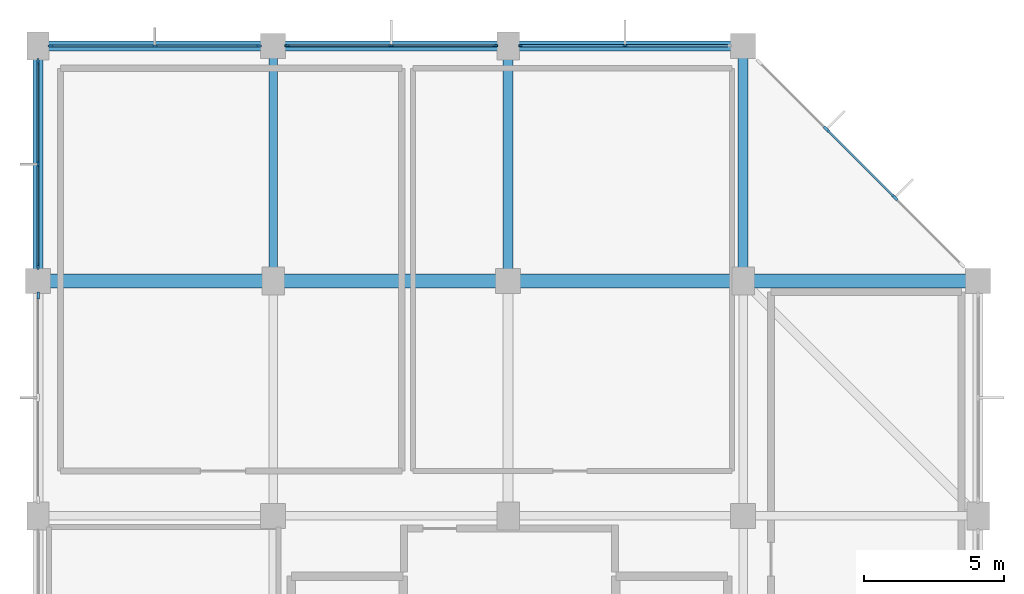
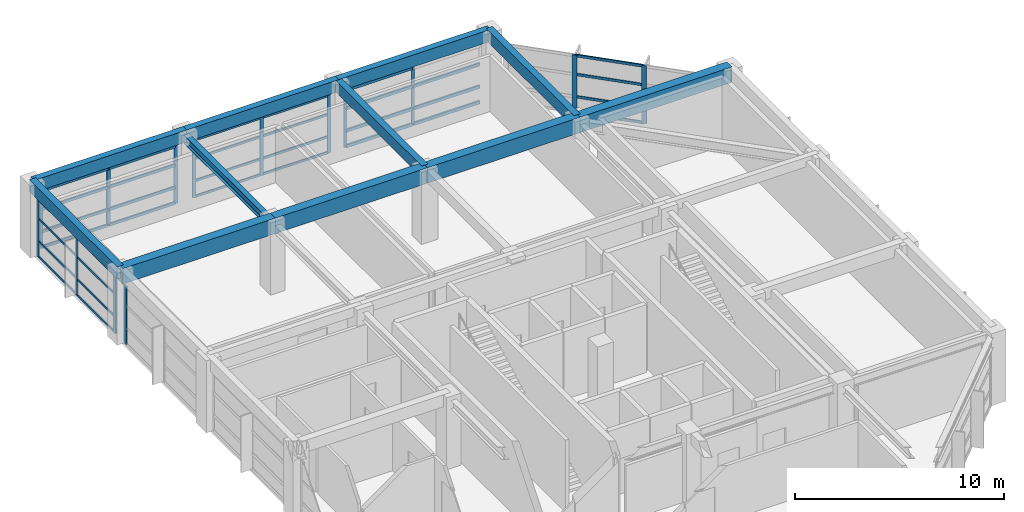
# One storey, part 6 of 12: 49 members, 11 beams, 6 elements without a shape of their own.
"""IFC4 building model written with IfcOpenShell, lengths in metres."""

from ifc_helpers import new_model, si_unit, direction, frame, origin, origin_2d, place, context, subcontext, project, spatial, rectangle, i_section, extrude, material, material_profile, profile_set, type_object, element, aggregate, save


model = new_model("IFC4")

# Units and contexts
model_context = context("Model", 3, precision=1e-05, world=origin(), true_north=direction((0.0, 1.0)))
body_context = subcontext(model_context, "Body", "Model", "MODEL_VIEW")
ifc_project = project(units=[si_unit("LENGTHUNIT", "METRE"), si_unit("AREAUNIT", "SQUARE_METRE"), si_unit("VOLUMEUNIT", "CUBIC_METRE"), si_unit("PLANEANGLEUNIT", "RADIAN"), si_unit("MASSUNIT", "GRAM", prefix="KILO")], contexts=[model_context])

# Site, building, storey
site_placement = place(None, origin())
site = spatial("IfcSite", under=ifc_project, at=site_placement, CompositionType="ELEMENT")
building_placement = place(site_placement, origin())
building = spatial("IfcBuilding", under=site, at=building_placement, Name="Xuanlan Plaza Opera House", CompositionType="ELEMENT")
storey_placement = place(building_placement, frame((0.0, 0.0, 65.699951171875)))
storey = spatial("IfcBuildingStorey", under=building, at=storey_placement, Name="L15", CompositionType="ELEMENT", Elevation=65.699951171875)

# Curtain wall, members
ifc_material_1 = material(Name="Anodised Aluminium 6063-T6 and Low-E Glass", Category="aluminium")
curtain_wall_type_1 = type_object("IfcCurtainWallType", Name="ENV-CW-CW-02", PredefinedType="USERDEFINED", material=ifc_material_1)
curtain_wall_1_placement = place(storey_placement, origin())
curtain_wall_1 = element("IfcCurtainWall", 1, at=curtain_wall_1_placement, inside=storey, type_object=curtain_wall_type_1, Name="Unitised Curtain Wall L15-009", ObjectType="UNITISED CURTAIN WALL", PredefinedType="USERDEFINED")
ifc_material_2 = material(Name="Anodised Aluminium 6063-T6", Category="aluminium")
ifc_material_profile_1 = material_profile(ifc_material_2, rectangle(XDim=0.06494140625, YDim=0.159912109375, at=origin_2d()), Name="ALU-M 65x160")
ifc_profile_set_1 = profile_set([ifc_material_profile_1], Name="Anodised Aluminium 6063-T6")
member_type_1 = type_object("IfcMemberType", Name="ENV-CWM-01", PredefinedType="MULLION", material=ifc_profile_set_1)
member_1_placement = place(storey_placement, frame((146.97509765625, 84.0, 0.0), z_axis=(0.0, 0.0, 1.0), x_axis=(0.0, -1.0, 0.0)))
member_1 = element("IfcMember", 2, at=member_1_placement, type_object=member_type_1, Name="CW-02 mullion 2", PredefinedType="MULLION", context=body_context, shape_type="SweptSolid", body=[
    extrude(rectangle(XDim=0.06494140625, YDim=0.159912109375, at=origin_2d()), origin(), (0.0, 0.0, 1.0), 3.380126953125),
])
member_2_placement = place(storey_placement, frame((143.25244140625, 84.0, 0.0), z_axis=(0.0, 0.0, 1.0), x_axis=(0.0, -1.0, 0.0)))
member_2 = element("IfcMember", 3, at=member_2_placement, type_object=member_type_1, Name="CW-02 mullion 3", PredefinedType="MULLION", context=body_context, shape_type="SweptSolid", body=[
    extrude(rectangle(XDim=0.06494140625, YDim=0.159912109375, at=origin_2d()), origin(), (0.0, 0.0, 1.0), 3.380126953125),
])

curtain_wall_type_2 = type_object("IfcCurtainWallType", Name="ENV-CW-CW-03", PredefinedType="USERDEFINED", material=ifc_material_1)
curtain_wall_2_placement = place(storey_placement, origin())
curtain_wall_2 = element("IfcCurtainWall", 4, at=curtain_wall_2_placement, inside=storey, type_object=curtain_wall_type_2, Name="Unitised Curtain Wall L15-010", ObjectType="UNITISED CURTAIN WALL", PredefinedType="USERDEFINED")
ifc_material_profile_2 = material_profile(ifc_material_2, rectangle(XDim=0.070068359375, YDim=0.179931640625, at=origin_2d()), Name="ALU-M 70x180")
ifc_profile_set_2 = profile_set([ifc_material_profile_2], Name="Anodised Aluminium 6063-T6")
member_type_2 = type_object("IfcMemberType", Name="ENV-CWM-02", PredefinedType="MULLION", material=ifc_profile_set_2)
member_3_placement = place(storey_placement, frame((142.344970703125, 84.0, 0.0), z_axis=(0.0, 0.0, 1.0), x_axis=(0.0, -1.0, 0.0)))
member_3 = element("IfcMember", 5, at=member_3_placement, type_object=member_type_2, Name="CW-03 mullion 1", PredefinedType="MULLION", context=body_context, shape_type="SweptSolid", body=[
    extrude(rectangle(XDim=0.070068359375, YDim=0.179931640625, at=origin_2d()), origin(), (0.0, 0.0, 1.0), 3.380126953125),
])
member_4_placement = place(storey_placement, frame((138.625, 84.0, 0.0), z_axis=(0.0, 0.0, 1.0), x_axis=(0.0, -1.0, 0.0)))
member_4 = element("IfcMember", 6, at=member_4_placement, type_object=member_type_2, Name="CW-03 mullion 2", PredefinedType="MULLION", context=body_context, shape_type="SweptSolid", body=[
    extrude(rectangle(XDim=0.070068359375, YDim=0.179931640625, at=origin_2d()), origin(), (0.0, 0.0, 1.0), 3.380126953125),
])
member_5_placement = place(storey_placement, frame((134.905029296875, 84.0, 0.0), z_axis=(0.0, 0.0, 1.0), x_axis=(0.0, -1.0, 0.0)))
member_5 = element("IfcMember", 7, at=member_5_placement, type_object=member_type_2, Name="CW-03 mullion 3", PredefinedType="MULLION", context=body_context, shape_type="SweptSolid", body=[
    extrude(rectangle(XDim=0.070068359375, YDim=0.179931640625, at=origin_2d()), origin(), (0.0, 0.0, 1.0), 3.380126953125),
])

curtain_wall_type_3 = type_object("IfcCurtainWallType", Name="ENV-CW-CW-04", PredefinedType="USERDEFINED", material=ifc_material_1)
curtain_wall_3_placement = place(storey_placement, origin())
curtain_wall_3 = element("IfcCurtainWall", 8, at=curtain_wall_3_placement, inside=storey, type_object=curtain_wall_type_3, Name="Unitised Curtain Wall L15-011", ObjectType="UNITISED CURTAIN WALL", PredefinedType="USERDEFINED")
ifc_material_profile_3 = material_profile(ifc_material_2, rectangle(XDim=0.074951171875, YDim=0.199951171875, at=origin_2d()), Name="ALU-M 75x200")
ifc_profile_set_3 = profile_set([ifc_material_profile_3], Name="Anodised Aluminium 6063-T6")
member_type_3 = type_object("IfcMemberType", Name="ENV-CWM-03", PredefinedType="MULLION", material=ifc_profile_set_3)
member_6_placement = place(storey_placement, frame((133.892578125, 84.0, 0.0), z_axis=(0.0, 0.0, 1.0), x_axis=(0.0, -1.0, 0.0)))
member_6 = element("IfcMember", 9, at=member_6_placement, type_object=member_type_3, Name="CW-04 mullion 1", PredefinedType="MULLION", context=body_context, shape_type="SweptSolid", body=[
    extrude(rectangle(XDim=0.074951171875, YDim=0.199951171875, at=origin_2d()), origin(), (0.0, 0.0, 1.0), 3.380126953125),
])
member_7_placement = place(storey_placement, frame((130.175048828125, 84.0, 0.0), z_axis=(0.0, 0.0, 1.0), x_axis=(0.0, -1.0, 0.0)))
member_7 = element("IfcMember", 10, at=member_7_placement, type_object=member_type_3, Name="CW-04 mullion 2", PredefinedType="MULLION", context=body_context, shape_type="SweptSolid", body=[
    extrude(rectangle(XDim=0.074951171875, YDim=0.199951171875, at=origin_2d()), origin(), (0.0, 0.0, 1.0), 3.380126953125),
])
member_8_placement = place(storey_placement, frame((126.45751953125, 84.0, 0.0), z_axis=(0.0, 0.0, 1.0), x_axis=(0.0, -1.0, 0.0)))
member_8 = element("IfcMember", 11, at=member_8_placement, type_object=member_type_3, Name="CW-04 mullion 3", PredefinedType="MULLION", context=body_context, shape_type="SweptSolid", body=[
    extrude(rectangle(XDim=0.074951171875, YDim=0.199951171875, at=origin_2d()), origin(), (0.0, 0.0, 1.0), 3.380126953125),
])

curtain_wall_type_4 = type_object("IfcCurtainWallType", Name="ENV-CW-CW-01", PredefinedType="USERDEFINED", material=ifc_material_1)
curtain_wall_4_placement = place(storey_placement, origin())
curtain_wall_4 = element("IfcCurtainWall", 12, at=curtain_wall_4_placement, inside=storey, type_object=curtain_wall_type_4, Name="Unitised Curtain Wall L15-012", ObjectType="UNITISED CURTAIN WALL", PredefinedType="USERDEFINED")
ifc_material_profile_4 = material_profile(ifc_material_2, rectangle(XDim=0.080078125, YDim=0.219970703125, at=origin_2d()), Name="ALU-M 80x220")
ifc_profile_set_4 = profile_set([ifc_material_profile_4], Name="Anodised Aluminium 6063-T6")
member_type_4 = type_object("IfcMemberType", Name="ENV-CWM-04", PredefinedType="MULLION", material=ifc_profile_set_4)
member_9_placement = place(storey_placement, frame((126.0, 83.43994140625, 0.0), z_axis=(0.0, 0.0, 1.0), x_axis=(1.0, 0.0, 0.0)))
member_9 = element("IfcMember", 13, at=member_9_placement, type_object=member_type_4, Name="CW-01 mullion 1", PredefinedType="MULLION", context=body_context, shape_type="SweptSolid", body=[
    extrude(rectangle(XDim=0.080078125, YDim=0.219970703125, at=origin_2d()), origin(), (0.0, 0.0, 1.0), 3.380126953125),
])
member_10_placement = place(storey_placement, frame((126.0, 79.77490234375, 0.0), z_axis=(0.0, 0.0, 1.0), x_axis=(1.0, 0.0, 0.0)))
member_10 = element("IfcMember", 14, at=member_10_placement, type_object=member_type_4, Name="CW-01 mullion 2", PredefinedType="MULLION", context=body_context, shape_type="SweptSolid", body=[
    extrude(rectangle(XDim=0.080078125, YDim=0.219970703125, at=origin_2d()), origin(), (0.0, 0.0, 1.0), 3.380126953125),
])
member_11_placement = place(storey_placement, frame((126.0, 76.110107421875, 0.0), z_axis=(0.0, 0.0, 1.0), x_axis=(1.0, 0.0, 0.0)))
member_11 = element("IfcMember", 15, at=member_11_placement, type_object=member_type_4, Name="CW-01 mullion 3", PredefinedType="MULLION", context=body_context, shape_type="SweptSolid", body=[
    extrude(rectangle(XDim=0.080078125, YDim=0.219970703125, at=origin_2d()), origin(), (0.0, 0.0, 1.0), 3.380126953125),
])

curtain_wall_5_placement = place(storey_placement, origin())
curtain_wall_5 = element("IfcCurtainWall", 16, at=curtain_wall_5_placement, inside=storey, type_object=curtain_wall_type_4, Name="Unitised Curtain Wall L15-008", ObjectType="UNITISED CURTAIN WALL", PredefinedType="USERDEFINED")
ifc_material_profile_5 = material_profile(ifc_material_2, rectangle(XDim=0.090087890625, YDim=0.25, at=origin_2d()), Name="ALU-M 90x250")
ifc_profile_set_5 = profile_set([ifc_material_profile_5], Name="Anodised Aluminium 6063-T6")
member_type_5 = type_object("IfcMemberType", Name="ENV-CWM-05", PredefinedType="MULLION", material=ifc_profile_set_5)
member_12_placement = place(storey_placement, frame((156.616943359375, 78.5830078125, 0.0), z_axis=(0.0, 0.0, 1.0), x_axis=(-0.707106781187, -0.707106781187, 0.0)))
member_12 = element("IfcMember", 17, at=member_12_placement, type_object=member_type_5, Name="CW-01 mullion 2", PredefinedType="MULLION", context=body_context, shape_type="SweptSolid", body=[
    extrude(rectangle(XDim=0.090087890625, YDim=0.25, at=origin_2d()), origin(), (0.0, 0.0, 1.0), 3.380126953125),
])
member_13_placement = place(storey_placement, frame((154.18310546875, 81.01708984375, 0.0), z_axis=(0.0, 0.0, 1.0), x_axis=(-0.707106781187, -0.707106781187, 0.0)))
member_13 = element("IfcMember", 18, at=member_13_placement, type_object=member_type_5, Name="CW-01 mullion 3", PredefinedType="MULLION", context=body_context, shape_type="SweptSolid", body=[
    extrude(rectangle(XDim=0.090087890625, YDim=0.25, at=origin_2d()), origin(), (0.0, 0.0, 1.0), 3.380126953125),
])

# Curtain wall, member
curtain_wall_6_placement = place(storey_placement, origin())
curtain_wall_6 = element("IfcCurtainWall", 19, at=curtain_wall_6_placement, inside=storey, type_object=curtain_wall_type_1, Name="Unitised Curtain Wall L15-013", ObjectType="UNITISED CURTAIN WALL", PredefinedType="USERDEFINED")
member_14_placement = place(storey_placement, frame((126.0, 75.0849609375, 0.0), z_axis=(0.0, 0.0, 1.0), x_axis=(1.0, 0.0, 0.0)))
member_14 = element("IfcMember", 20, at=member_14_placement, type_object=member_type_5, Name="CW-02 mullion 1", PredefinedType="MULLION", context=body_context, shape_type="SweptSolid", body=[
    extrude(rectangle(XDim=0.090087890625, YDim=0.25, at=origin_2d()), origin(), (0.0, 0.0, 1.0), 3.380126953125),
])
aggregate(curtain_wall_6, [member_14])

# Member
ifc_material_profile_6 = material_profile(ifc_material_2, rectangle(XDim=0.06494140625, YDim=0.1201171875, at=origin_2d()), Name="ALU-T 65x120")
ifc_profile_set_6 = profile_set([ifc_material_profile_6], Name="Anodised Aluminium 6063-T6")
member_type_6 = type_object("IfcMemberType", Name="ENV-CWT-01", PredefinedType="USERDEFINED", material=ifc_profile_set_6)
member_15_placement = place(storey_placement, frame((126.0, 83.39990234375, 0.032470703125), z_axis=(0.0, -1.0, 0.0), x_axis=(1.0, 0.0, 0.0)))
member_15 = element("IfcMember", 21, at=member_15_placement, type_object=member_type_6, Name="CW-01 transom 1.1", ObjectType="TRANSOM", PredefinedType="USERDEFINED", context=body_context, shape_type="SweptSolid", body=[
    extrude(rectangle(XDim=0.06494140625, YDim=0.1201171875, at=origin_2d()), origin(), (0.0, 0.0, 1.0), 3.5849609375),
])

member_16_placement = place(storey_placement, frame((126.0, 83.39990234375, 0.949951171875), z_axis=(0.0, -1.0, 0.0), x_axis=(1.0, 0.0, 0.0)))
member_16 = element("IfcMember", 22, at=member_16_placement, type_object=member_type_6, Name="CW-01 transom 1.2", ObjectType="TRANSOM", PredefinedType="USERDEFINED", context=body_context, shape_type="SweptSolid", body=[
    extrude(rectangle(XDim=0.06494140625, YDim=0.1201171875, at=origin_2d()), origin(), (0.0, 0.0, 1.0), 3.5849609375),
])

member_17_placement = place(storey_placement, frame((126.0, 83.39990234375, 2.25), z_axis=(0.0, -1.0, 0.0), x_axis=(1.0, 0.0, 0.0)))
member_17 = element("IfcMember", 23, at=member_17_placement, type_object=member_type_6, Name="CW-01 transom 1.3", ObjectType="TRANSOM", PredefinedType="USERDEFINED", context=body_context, shape_type="SweptSolid", body=[
    extrude(rectangle(XDim=0.06494140625, YDim=0.1201171875, at=origin_2d()), origin(), (0.0, 0.0, 1.0), 3.5849609375),
])

member_18_placement = place(storey_placement, frame((126.0, 83.39990234375, 3.34765625), z_axis=(0.0, -1.0, 0.0), x_axis=(1.0, 0.0, 0.0)))
member_18 = element("IfcMember", 24, at=member_18_placement, type_object=member_type_6, Name="CW-01 transom 1.4", ObjectType="TRANSOM", PredefinedType="USERDEFINED", context=body_context, shape_type="SweptSolid", body=[
    extrude(rectangle(XDim=0.06494140625, YDim=0.1201171875, at=origin_2d()), origin(), (0.0, 0.0, 1.0), 3.5849609375),
])

member_19_placement = place(storey_placement, frame((126.0, 79.735107421875, 0.032470703125), z_axis=(0.0, -1.0, 0.0), x_axis=(1.0, 0.0, 0.0)))
member_19 = element("IfcMember", 25, at=member_19_placement, type_object=member_type_6, Name="CW-01 transom 2.1", ObjectType="TRANSOM", PredefinedType="USERDEFINED", context=body_context, shape_type="SweptSolid", body=[
    extrude(rectangle(XDim=0.06494140625, YDim=0.1201171875, at=origin_2d()), origin(), (0.0, 0.0, 1.0), 3.585205078125),
])

member_20_placement = place(storey_placement, frame((126.0, 79.735107421875, 0.949951171875), z_axis=(0.0, -1.0, 0.0), x_axis=(1.0, 0.0, 0.0)))
member_20 = element("IfcMember", 26, at=member_20_placement, type_object=member_type_6, Name="CW-01 transom 2.2", ObjectType="TRANSOM", PredefinedType="USERDEFINED", context=body_context, shape_type="SweptSolid", body=[
    extrude(rectangle(XDim=0.06494140625, YDim=0.1201171875, at=origin_2d()), origin(), (0.0, 0.0, 1.0), 3.585205078125),
])

member_21_placement = place(storey_placement, frame((126.0, 79.735107421875, 2.25), z_axis=(0.0, -1.0, 0.0), x_axis=(1.0, 0.0, 0.0)))
member_21 = element("IfcMember", 27, at=member_21_placement, type_object=member_type_6, Name="CW-01 transom 2.3", ObjectType="TRANSOM", PredefinedType="USERDEFINED", context=body_context, shape_type="SweptSolid", body=[
    extrude(rectangle(XDim=0.06494140625, YDim=0.1201171875, at=origin_2d()), origin(), (0.0, 0.0, 1.0), 3.585205078125),
])

member_22_placement = place(storey_placement, frame((126.0, 79.735107421875, 3.34765625), z_axis=(0.0, -1.0, 0.0), x_axis=(1.0, 0.0, 0.0)))
member_22 = element("IfcMember", 28, at=member_22_placement, type_object=member_type_6, Name="CW-01 transom 2.4", ObjectType="TRANSOM", PredefinedType="USERDEFINED", context=body_context, shape_type="SweptSolid", body=[
    extrude(rectangle(XDim=0.06494140625, YDim=0.1201171875, at=origin_2d()), origin(), (0.0, 0.0, 1.0), 3.585205078125),
])

aggregate(curtain_wall_4, [member_9, member_10, member_11, member_15, member_16, member_17, member_18, member_19, member_20, member_21, member_22])

ifc_material_profile_7 = material_profile(ifc_material_2, rectangle(XDim=0.070068359375, YDim=0.135009765625, at=origin_2d()), Name="ALU-T 70x135")
ifc_profile_set_7 = profile_set([ifc_material_profile_7], Name="Anodised Aluminium 6063-T6")
member_type_7 = type_object("IfcMemberType", Name="ENV-CWT-02", PredefinedType="USERDEFINED", material=ifc_profile_set_7)
member_23_placement = place(storey_placement, frame((142.31005859375, 84.0, 0.03515625), z_axis=(-1.0, 0.0, 0.0), x_axis=(0.0, -1.0, 0.0)))
member_23 = element("IfcMember", 29, at=member_23_placement, type_object=member_type_7, Name="CW-03 transom 1.1", ObjectType="TRANSOM", PredefinedType="USERDEFINED", context=body_context, shape_type="SweptSolid", body=[
    extrude(rectangle(XDim=0.070068359375, YDim=0.135009765625, at=origin_2d()), origin(), (0.0, 0.0, 1.0), 3.650146484375),
])

member_24_placement = place(storey_placement, frame((142.31005859375, 84.0, 0.949951171875), z_axis=(-1.0, 0.0, 0.0), x_axis=(0.0, -1.0, 0.0)))
member_24 = element("IfcMember", 30, at=member_24_placement, type_object=member_type_7, Name="CW-03 transom 1.2", ObjectType="TRANSOM", PredefinedType="USERDEFINED", context=body_context, shape_type="SweptSolid", body=[
    extrude(rectangle(XDim=0.070068359375, YDim=0.135009765625, at=origin_2d()), origin(), (0.0, 0.0, 1.0), 3.650146484375),
])

member_25_placement = place(storey_placement, frame((142.31005859375, 84.0, 2.25), z_axis=(-1.0, 0.0, 0.0), x_axis=(0.0, -1.0, 0.0)))
member_25 = element("IfcMember", 31, at=member_25_placement, type_object=member_type_7, Name="CW-03 transom 1.3", ObjectType="TRANSOM", PredefinedType="USERDEFINED", context=body_context, shape_type="SweptSolid", body=[
    extrude(rectangle(XDim=0.070068359375, YDim=0.135009765625, at=origin_2d()), origin(), (0.0, 0.0, 1.0), 3.650146484375),
])

member_26_placement = place(storey_placement, frame((142.31005859375, 84.0, 3.344970703125), z_axis=(-1.0, 0.0, 0.0), x_axis=(0.0, -1.0, 0.0)))
member_26 = element("IfcMember", 32, at=member_26_placement, type_object=member_type_7, Name="CW-03 transom 1.4", ObjectType="TRANSOM", PredefinedType="USERDEFINED", context=body_context, shape_type="SweptSolid", body=[
    extrude(rectangle(XDim=0.070068359375, YDim=0.135009765625, at=origin_2d()), origin(), (0.0, 0.0, 1.0), 3.650146484375),
])

member_27_placement = place(storey_placement, frame((138.590087890625, 84.0, 0.03515625), z_axis=(-1.0, 0.0, 0.0), x_axis=(0.0, -1.0, 0.0)))
member_27 = element("IfcMember", 33, at=member_27_placement, type_object=member_type_7, Name="CW-03 transom 2.1", ObjectType="TRANSOM", PredefinedType="USERDEFINED", context=body_context, shape_type="SweptSolid", body=[
    extrude(rectangle(XDim=0.070068359375, YDim=0.135009765625, at=origin_2d()), origin(), (0.0, 0.0, 1.0), 3.650146484375),
])

member_28_placement = place(storey_placement, frame((138.590087890625, 84.0, 0.949951171875), z_axis=(-1.0, 0.0, 0.0), x_axis=(0.0, -1.0, 0.0)))
member_28 = element("IfcMember", 34, at=member_28_placement, type_object=member_type_7, Name="CW-03 transom 2.2", ObjectType="TRANSOM", PredefinedType="USERDEFINED", context=body_context, shape_type="SweptSolid", body=[
    extrude(rectangle(XDim=0.070068359375, YDim=0.135009765625, at=origin_2d()), origin(), (0.0, 0.0, 1.0), 3.650146484375),
])

member_29_placement = place(storey_placement, frame((138.590087890625, 84.0, 2.25), z_axis=(-1.0, 0.0, 0.0), x_axis=(0.0, -1.0, 0.0)))
member_29 = element("IfcMember", 35, at=member_29_placement, type_object=member_type_7, Name="CW-03 transom 2.3", ObjectType="TRANSOM", PredefinedType="USERDEFINED", context=body_context, shape_type="SweptSolid", body=[
    extrude(rectangle(XDim=0.070068359375, YDim=0.135009765625, at=origin_2d()), origin(), (0.0, 0.0, 1.0), 3.650146484375),
])

member_30_placement = place(storey_placement, frame((138.590087890625, 84.0, 3.344970703125), z_axis=(-1.0, 0.0, 0.0), x_axis=(0.0, -1.0, 0.0)))
member_30 = element("IfcMember", 36, at=member_30_placement, type_object=member_type_7, Name="CW-03 transom 2.4", ObjectType="TRANSOM", PredefinedType="USERDEFINED", context=body_context, shape_type="SweptSolid", body=[
    extrude(rectangle(XDim=0.070068359375, YDim=0.135009765625, at=origin_2d()), origin(), (0.0, 0.0, 1.0), 3.650146484375),
])

aggregate(curtain_wall_2, [member_3, member_4, member_5, member_23, member_24, member_25, member_26, member_27, member_28, member_29, member_30])

ifc_material_profile_8 = material_profile(ifc_material_2, rectangle(XDim=0.074951171875, YDim=0.14990234375, at=origin_2d()), Name="ALU-T 75x150")
ifc_profile_set_8 = profile_set([ifc_material_profile_8], Name="Anodised Aluminium 6063-T6")
member_type_8 = type_object("IfcMemberType", Name="ENV-CWT-03", PredefinedType="USERDEFINED", material=ifc_profile_set_8)
member_31_placement = place(storey_placement, frame((156.585205078125, 78.61474609375, 0.03759765625), z_axis=(-0.707106781187, 0.707106781187, 0.0), x_axis=(-0.707106781187, -0.707106781187, 0.0)))
member_31 = element("IfcMember", 37, at=member_31_placement, type_object=member_type_8, Name="CW-01 transom 2.1", ObjectType="TRANSOM", PredefinedType="USERDEFINED", context=body_context, shape_type="SweptSolid", body=[
    extrude(rectangle(XDim=0.074951171875, YDim=0.14990234375, at=origin_2d()), origin(), (0.0, 0.0, 1.0), 3.352294921875),
])

member_32_placement = place(storey_placement, frame((156.585205078125, 78.61474609375, 0.949951171875), z_axis=(-0.707106781187, 0.707106781187, 0.0), x_axis=(-0.707106781187, -0.707106781187, 0.0)))
member_32 = element("IfcMember", 38, at=member_32_placement, type_object=member_type_8, Name="CW-01 transom 2.2", ObjectType="TRANSOM", PredefinedType="USERDEFINED", context=body_context, shape_type="SweptSolid", body=[
    extrude(rectangle(XDim=0.074951171875, YDim=0.14990234375, at=origin_2d()), origin(), (0.0, 0.0, 1.0), 3.352294921875),
])

member_33_placement = place(storey_placement, frame((156.585205078125, 78.61474609375, 2.25), z_axis=(-0.707106781187, 0.707106781187, 0.0), x_axis=(-0.707106781187, -0.707106781187, 0.0)))
member_33 = element("IfcMember", 39, at=member_33_placement, type_object=member_type_8, Name="CW-01 transom 2.3", ObjectType="TRANSOM", PredefinedType="USERDEFINED", context=body_context, shape_type="SweptSolid", body=[
    extrude(rectangle(XDim=0.074951171875, YDim=0.14990234375, at=origin_2d()), origin(), (0.0, 0.0, 1.0), 3.352294921875),
])

member_34_placement = place(storey_placement, frame((156.585205078125, 78.61474609375, 3.342529296875), z_axis=(-0.707106781187, 0.707106781187, 0.0), x_axis=(-0.707106781187, -0.707106781187, 0.0)))
member_34 = element("IfcMember", 40, at=member_34_placement, type_object=member_type_8, Name="CW-01 transom 2.4", ObjectType="TRANSOM", PredefinedType="USERDEFINED", context=body_context, shape_type="SweptSolid", body=[
    extrude(rectangle(XDim=0.074951171875, YDim=0.14990234375, at=origin_2d()), origin(), (0.0, 0.0, 1.0), 3.352294921875),
])

aggregate(curtain_wall_5, [member_12, member_13, member_31, member_32, member_33, member_34])

ifc_material_profile_9 = material_profile(ifc_material_2, rectangle(XDim=0.080078125, YDim=0.1650390625, at=origin_2d()), Name="ALU-T 80x165")
ifc_profile_set_9 = profile_set([ifc_material_profile_9], Name="Anodised Aluminium 6063-T6")
member_type_9 = type_object("IfcMemberType", Name="ENV-CWT-04", PredefinedType="USERDEFINED", material=ifc_profile_set_9)
member_35_placement = place(storey_placement, frame((133.85498046875, 84.0, 0.0400390625), z_axis=(-1.0, 0.0, 0.0), x_axis=(0.0, -1.0, 0.0)))
member_35 = element("IfcMember", 41, at=member_35_placement, type_object=member_type_9, Name="CW-04 transom 1.1", ObjectType="TRANSOM", PredefinedType="USERDEFINED", context=body_context, shape_type="SweptSolid", body=[
    extrude(rectangle(XDim=0.080078125, YDim=0.1650390625, at=origin_2d()), origin(), (0.0, 0.0, 1.0), 3.642578125),
])

member_36_placement = place(storey_placement, frame((133.85498046875, 84.0, 0.949951171875), z_axis=(-1.0, 0.0, 0.0), x_axis=(0.0, -1.0, 0.0)))
member_36 = element("IfcMember", 42, at=member_36_placement, type_object=member_type_9, Name="CW-04 transom 1.2", ObjectType="TRANSOM", PredefinedType="USERDEFINED", context=body_context, shape_type="SweptSolid", body=[
    extrude(rectangle(XDim=0.080078125, YDim=0.1650390625, at=origin_2d()), origin(), (0.0, 0.0, 1.0), 3.642578125),
])

member_37_placement = place(storey_placement, frame((133.85498046875, 84.0, 2.25), z_axis=(-1.0, 0.0, 0.0), x_axis=(0.0, -1.0, 0.0)))
member_37 = element("IfcMember", 43, at=member_37_placement, type_object=member_type_9, Name="CW-04 transom 1.3", ObjectType="TRANSOM", PredefinedType="USERDEFINED", context=body_context, shape_type="SweptSolid", body=[
    extrude(rectangle(XDim=0.080078125, YDim=0.1650390625, at=origin_2d()), origin(), (0.0, 0.0, 1.0), 3.642578125),
])

member_38_placement = place(storey_placement, frame((133.85498046875, 84.0, 3.340087890625), z_axis=(-1.0, 0.0, 0.0), x_axis=(0.0, -1.0, 0.0)))
member_38 = element("IfcMember", 44, at=member_38_placement, type_object=member_type_9, Name="CW-04 transom 1.4", ObjectType="TRANSOM", PredefinedType="USERDEFINED", context=body_context, shape_type="SweptSolid", body=[
    extrude(rectangle(XDim=0.080078125, YDim=0.1650390625, at=origin_2d()), origin(), (0.0, 0.0, 1.0), 3.642578125),
])

member_39_placement = place(storey_placement, frame((130.137451171875, 84.0, 0.0400390625), z_axis=(-1.0, 0.0, 0.0), x_axis=(0.0, -1.0, 0.0)))
member_39 = element("IfcMember", 45, at=member_39_placement, type_object=member_type_9, Name="CW-04 transom 2.1", ObjectType="TRANSOM", PredefinedType="USERDEFINED", context=body_context, shape_type="SweptSolid", body=[
    extrude(rectangle(XDim=0.080078125, YDim=0.1650390625, at=origin_2d()), origin(), (0.0, 0.0, 1.0), 3.642333984375),
])

member_40_placement = place(storey_placement, frame((130.137451171875, 84.0, 0.949951171875), z_axis=(-1.0, 0.0, 0.0), x_axis=(0.0, -1.0, 0.0)))
member_40 = element("IfcMember", 46, at=member_40_placement, type_object=member_type_9, Name="CW-04 transom 2.2", ObjectType="TRANSOM", PredefinedType="USERDEFINED", context=body_context, shape_type="SweptSolid", body=[
    extrude(rectangle(XDim=0.080078125, YDim=0.1650390625, at=origin_2d()), origin(), (0.0, 0.0, 1.0), 3.642333984375),
])

member_41_placement = place(storey_placement, frame((130.137451171875, 84.0, 2.25), z_axis=(-1.0, 0.0, 0.0), x_axis=(0.0, -1.0, 0.0)))
member_41 = element("IfcMember", 47, at=member_41_placement, type_object=member_type_9, Name="CW-04 transom 2.3", ObjectType="TRANSOM", PredefinedType="USERDEFINED", context=body_context, shape_type="SweptSolid", body=[
    extrude(rectangle(XDim=0.080078125, YDim=0.1650390625, at=origin_2d()), origin(), (0.0, 0.0, 1.0), 3.642333984375),
])

member_42_placement = place(storey_placement, frame((130.137451171875, 84.0, 3.340087890625), z_axis=(-1.0, 0.0, 0.0), x_axis=(0.0, -1.0, 0.0)))
member_42 = element("IfcMember", 48, at=member_42_placement, type_object=member_type_9, Name="CW-04 transom 2.4", ObjectType="TRANSOM", PredefinedType="USERDEFINED", context=body_context, shape_type="SweptSolid", body=[
    extrude(rectangle(XDim=0.080078125, YDim=0.1650390625, at=origin_2d()), origin(), (0.0, 0.0, 1.0), 3.642333984375),
])

aggregate(curtain_wall_3, [member_6, member_7, member_8, member_35, member_36, member_37, member_38, member_39, member_40, member_41, member_42])

ifc_material_profile_10 = material_profile(ifc_material_2, rectangle(XDim=0.090087890625, YDim=0.179931640625, at=origin_2d()), Name="ALU-T 90x180")
ifc_profile_set_10 = profile_set([ifc_material_profile_10], Name="Anodised Aluminium 6063-T6")
member_type_10 = type_object("IfcMemberType", Name="ENV-CWT-05", PredefinedType="USERDEFINED", material=ifc_profile_set_10)
member_43_placement = place(storey_placement, frame((150.6650390625, 84.0, 0.045166015625), z_axis=(-1.0, 0.0, 0.0), x_axis=(0.0, -1.0, 0.0)))
member_43 = element("IfcMember", 49, at=member_43_placement, type_object=member_type_10, Name="CW-02 transom 1.1", ObjectType="TRANSOM", PredefinedType="USERDEFINED", context=body_context, shape_type="SweptSolid", body=[
    extrude(rectangle(XDim=0.090087890625, YDim=0.179931640625, at=origin_2d()), origin(), (0.0, 0.0, 1.0), 3.657470703125),
])

member_44_placement = place(storey_placement, frame((150.6650390625, 84.0, 0.949951171875), z_axis=(-1.0, 0.0, 0.0), x_axis=(0.0, -1.0, 0.0)))
member_44 = element("IfcMember", 50, at=member_44_placement, type_object=member_type_10, Name="CW-02 transom 1.2", ObjectType="TRANSOM", PredefinedType="USERDEFINED", context=body_context, shape_type="SweptSolid", body=[
    extrude(rectangle(XDim=0.090087890625, YDim=0.179931640625, at=origin_2d()), origin(), (0.0, 0.0, 1.0), 3.657470703125),
])

member_45_placement = place(storey_placement, frame((150.6650390625, 84.0, 2.25), z_axis=(-1.0, 0.0, 0.0), x_axis=(0.0, -1.0, 0.0)))
member_45 = element("IfcMember", 51, at=member_45_placement, type_object=member_type_10, Name="CW-02 transom 1.3", ObjectType="TRANSOM", PredefinedType="USERDEFINED", context=body_context, shape_type="SweptSolid", body=[
    extrude(rectangle(XDim=0.090087890625, YDim=0.179931640625, at=origin_2d()), origin(), (0.0, 0.0, 1.0), 3.657470703125),
])

member_46_placement = place(storey_placement, frame((146.9423828125, 84.0, 0.045166015625), z_axis=(-1.0, 0.0, 0.0), x_axis=(0.0, -1.0, 0.0)))
member_46 = element("IfcMember", 52, at=member_46_placement, type_object=member_type_10, Name="CW-02 transom 2.1", ObjectType="TRANSOM", PredefinedType="USERDEFINED", context=body_context, shape_type="SweptSolid", body=[
    extrude(rectangle(XDim=0.090087890625, YDim=0.179931640625, at=origin_2d()), origin(), (0.0, 0.0, 1.0), 3.657470703125),
])

member_47_placement = place(storey_placement, frame((146.9423828125, 84.0, 0.949951171875), z_axis=(-1.0, 0.0, 0.0), x_axis=(0.0, -1.0, 0.0)))
member_47 = element("IfcMember", 53, at=member_47_placement, type_object=member_type_10, Name="CW-02 transom 2.2", ObjectType="TRANSOM", PredefinedType="USERDEFINED", context=body_context, shape_type="SweptSolid", body=[
    extrude(rectangle(XDim=0.090087890625, YDim=0.179931640625, at=origin_2d()), origin(), (0.0, 0.0, 1.0), 3.657470703125),
])

member_48_placement = place(storey_placement, frame((146.9423828125, 84.0, 2.25), z_axis=(-1.0, 0.0, 0.0), x_axis=(0.0, -1.0, 0.0)))
member_48 = element("IfcMember", 54, at=member_48_placement, type_object=member_type_10, Name="CW-02 transom 2.3", ObjectType="TRANSOM", PredefinedType="USERDEFINED", context=body_context, shape_type="SweptSolid", body=[
    extrude(rectangle(XDim=0.090087890625, YDim=0.179931640625, at=origin_2d()), origin(), (0.0, 0.0, 1.0), 3.657470703125),
])

member_49_placement = place(storey_placement, frame((146.9423828125, 84.0, 3.3349609375), z_axis=(-1.0, 0.0, 0.0), x_axis=(0.0, -1.0, 0.0)))
member_49 = element("IfcMember", 55, at=member_49_placement, type_object=member_type_10, Name="CW-02 transom 2.4", ObjectType="TRANSOM", PredefinedType="USERDEFINED", context=body_context, shape_type="SweptSolid", body=[
    extrude(rectangle(XDim=0.090087890625, YDim=0.179931640625, at=origin_2d()), origin(), (0.0, 0.0, 1.0), 3.657470703125),
])

aggregate(curtain_wall_1, [member_1, member_2, member_43, member_44, member_45, member_46, member_47, member_48, member_49])

# Beams
ifc_material_3 = material(Name="Concrete C40", Category="concrete")
ifc_material_profile_11 = material_profile(ifc_material_3, rectangle(XDim=0.5, YDim=0.89990234375, at=origin_2d()), Name="RC-BM 500x900")
ifc_profile_set_11 = profile_set([ifc_material_profile_11], Name="Concrete C40")
beam_type_1 = type_object("IfcBeamType", Name="STR-BM-B-03", PredefinedType="BEAM", material=ifc_profile_set_11)
beam_1_placement = place(storey_placement, frame((126.0, 75.60009765625, 3.75), z_axis=(1.0, 0.0, 0.0), x_axis=(0.0, 1.0, 0.0)))
element("IfcBeam", 56, at=beam_1_placement, inside=storey, type_object=beam_type_1, Name="Grid Beam X L15 16-17/J", PredefinedType="BEAM", context=body_context, shape_type="SweptSolid", body=[
    extrude(rectangle(XDim=0.5, YDim=0.89990234375, at=origin_2d()), origin(), (0.0, 0.0, 1.0), 8.39990234375),
])
beam_2_placement = place(storey_placement, frame((134.39990234375, 75.60009765625, 3.75), z_axis=(1.0, 0.0, 0.0), x_axis=(0.0, 1.0, 0.0)))
element("IfcBeam", 57, at=beam_2_placement, inside=storey, type_object=beam_type_1, Name="Grid Beam X L15 17-18/J", PredefinedType="BEAM", context=body_context, shape_type="SweptSolid", body=[
    extrude(rectangle(XDim=0.5, YDim=0.89990234375, at=origin_2d()), origin(), (0.0, 0.0, 1.0), 8.400146484375),
])
beam_3_placement = place(storey_placement, frame((142.800048828125, 75.60009765625, 3.75), z_axis=(1.0, 0.0, 0.0), x_axis=(0.0, 1.0, 0.0)))
element("IfcBeam", 58, at=beam_3_placement, inside=storey, type_object=beam_type_1, Name="Grid Beam X L15 18-19/J", PredefinedType="BEAM", context=body_context, shape_type="SweptSolid", body=[
    extrude(rectangle(XDim=0.5, YDim=0.89990234375, at=origin_2d()), origin(), (0.0, 0.0, 1.0), 8.39990234375),
])
beam_4_placement = place(storey_placement, frame((151.199951171875, 75.60009765625, 3.75), z_axis=(1.0, 0.0, 0.0), x_axis=(0.0, 1.0, 0.0)))
element("IfcBeam", 59, at=beam_4_placement, inside=storey, type_object=beam_type_1, Name="Grid Beam X L15 19-20/J", PredefinedType="BEAM", context=body_context, shape_type="SweptSolid", body=[
    extrude(rectangle(XDim=0.5, YDim=0.89990234375, at=origin_2d()), origin(), (0.0, 0.0, 1.0), 8.400146484375),
])
ifc_material_profile_12 = material_profile(ifc_material_3, rectangle(XDim=0.35009765625, YDim=0.64990234375, at=origin_2d()), Name="RC-BM 350x650")
ifc_profile_set_12 = profile_set([ifc_material_profile_12], Name="Concrete C40")
beam_type_2 = type_object("IfcBeamType", Name="STR-BM-B-08", PredefinedType="BEAM", material=ifc_profile_set_12)
beam_5_placement = place(storey_placement, frame((142.800048828125, 75.60009765625, 3.875), z_axis=(0.0, 1.0, 0.0), x_axis=(-1.0, 0.0, 0.0)))
element("IfcBeam", 60, at=beam_5_placement, inside=storey, type_object=beam_type_2, Name="Grid Beam Y L15 18/J-K", PredefinedType="BEAM", context=body_context, shape_type="SweptSolid", body=[
    extrude(rectangle(XDim=0.35009765625, YDim=0.64990234375, at=origin_2d()), origin(), (0.0, 0.0, 1.0), 8.39990234375),
])
ifc_material_4 = material(Name="Steel Q355B", Category="steel")
ifc_material_profile_13 = material_profile(ifc_material_4, i_section(OverallWidth=0.300048828125, OverallDepth=0.488037109375, WebThickness=0.010986328125, FlangeThickness=0.01806640625, FilletRadius=0.02197265625, at=origin_2d()), Name="HM 488x300x11x18")
ifc_profile_set_13 = profile_set([ifc_material_profile_13], Name="Steel Q355B")
beam_type_3 = type_object("IfcBeamType", Name="STR-BM-SB-07", PredefinedType="BEAM", material=ifc_profile_set_13)
beam_6_placement = place(storey_placement, frame((134.39990234375, 75.60009765625, 3.7109375), z_axis=(0.0, 1.0, 0.0), x_axis=(-1.0, 0.0, 0.0)))
element("IfcBeam", 61, at=beam_6_placement, inside=storey, type_object=beam_type_3, Name="Grid Beam Y L15 17/J-K", PredefinedType="BEAM", context=body_context, shape_type="SweptSolid", body=[
    extrude(i_section(OverallWidth=0.300048828125, OverallDepth=0.488037109375, WebThickness=0.010986328125, FlangeThickness=0.01806640625, FilletRadius=0.02197265625, at=origin_2d()), origin(), (0.0, 0.0, 1.0), 8.39990234375),
])
ifc_material_profile_14 = material_profile(ifc_material_3, rectangle(XDim=0.35009765625, YDim=0.699951171875, at=origin_2d()), Name="RC-SPD 350x700")
ifc_profile_set_14 = profile_set([ifc_material_profile_14], Name="Concrete C40")
beam_type_4 = type_object("IfcBeamType", Name="STR-BM-SP-02", PredefinedType="SPANDREL", material=ifc_profile_set_14)
beam_7_placement = place(storey_placement, frame((126.0, 84.0, 3.85009765625), z_axis=(1.0, 0.0, 0.0), x_axis=(0.0, 1.0, 0.0)))
element("IfcBeam", 62, at=beam_7_placement, inside=storey, type_object=beam_type_4, Name="Grid Beam X L15 16-17/K", PredefinedType="SPANDREL", context=body_context, shape_type="SweptSolid", body=[
    extrude(rectangle(XDim=0.35009765625, YDim=0.699951171875, at=origin_2d()), origin(), (0.0, 0.0, 1.0), 8.39990234375),
])
beam_8_placement = place(storey_placement, frame((134.39990234375, 84.0, 3.85009765625), z_axis=(1.0, 0.0, 0.0), x_axis=(0.0, 1.0, 0.0)))
element("IfcBeam", 63, at=beam_8_placement, inside=storey, type_object=beam_type_4, Name="Grid Beam X L15 17-18/K", PredefinedType="SPANDREL", context=body_context, shape_type="SweptSolid", body=[
    extrude(rectangle(XDim=0.35009765625, YDim=0.699951171875, at=origin_2d()), origin(), (0.0, 0.0, 1.0), 8.400146484375),
])
for number, where, z_axis, x_axis, name in (
    (64, (142.800048828125, 84.0, 3.85009765625), (1.0, 0.0, 0.0), (0.0, 1.0, 0.0), "Grid Beam X L15 18-19/K"),
    (65, (126.0, 75.60009765625, 3.85009765625), (0.0, 1.0, 0.0), (-1.0, 0.0, 0.0), "Grid Beam Y L15 16/J-K"),
    (66, (151.199951171875, 75.60009765625, 3.85009765625), (0.0, 1.0, 0.0), (-1.0, 0.0, 0.0), "Grid Beam Y L15 19/J-K"),
):
    element("IfcBeam", number, at=place(storey_placement, frame(where, z_axis=z_axis, x_axis=x_axis)), inside=storey, type_object=beam_type_4, Name=name, PredefinedType="SPANDREL", context=body_context, shape_type="SweptSolid", body=[
        extrude(rectangle(XDim=0.35009765625, YDim=0.699951171875, at=origin_2d()), origin(), (0.0, 0.0, 1.0), 8.39990234375),
    ])

save(model, "model.ifc")
